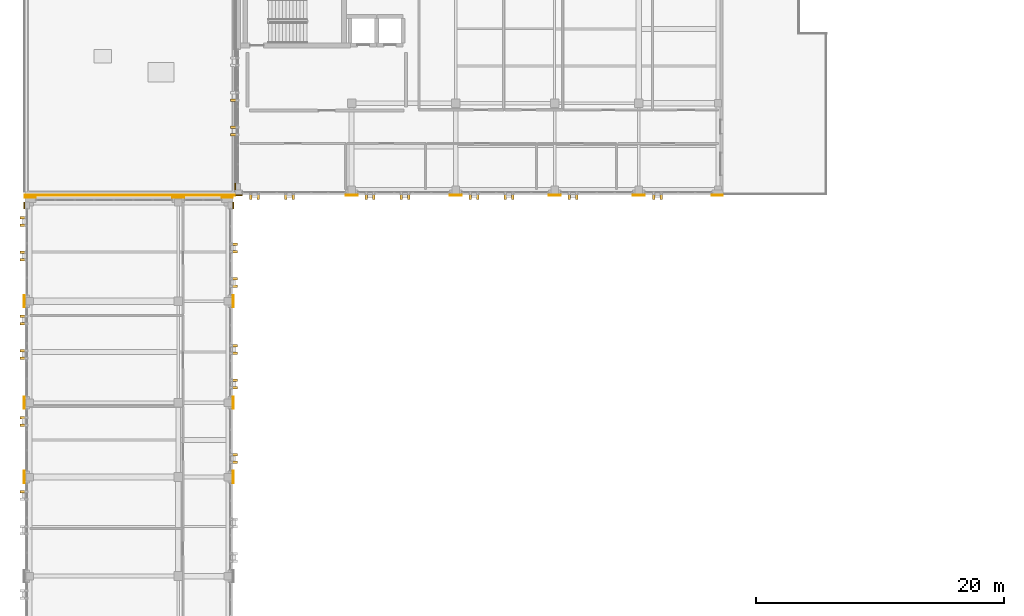
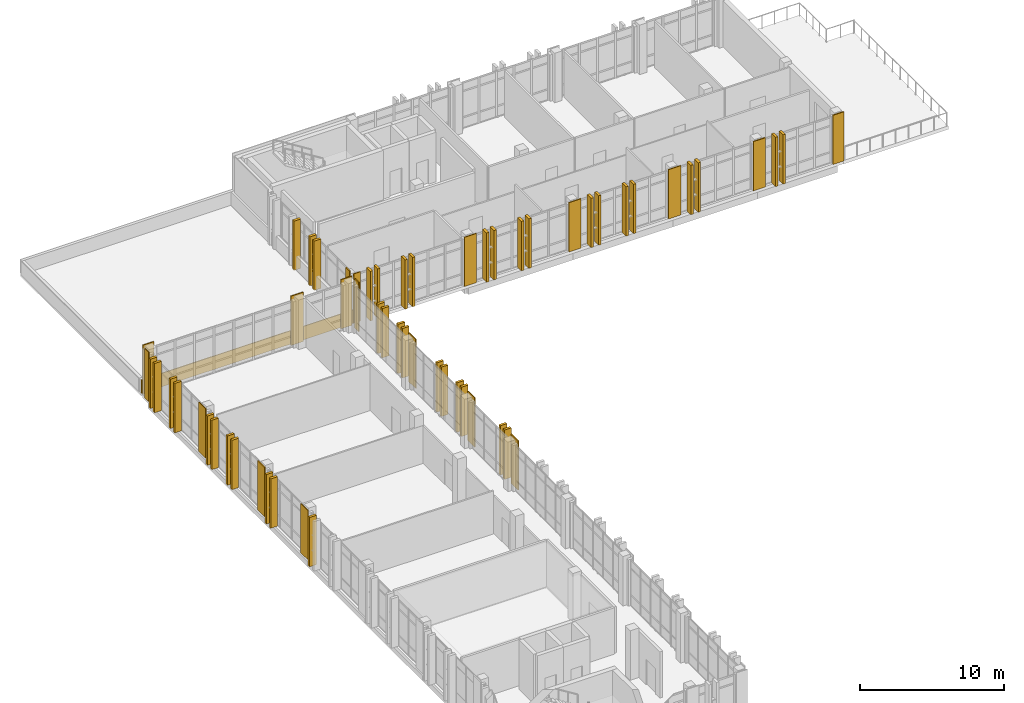
# One storey, part 82 of 90: 59 coverings.
"""IFC4 building model written with IfcOpenShell, lengths in metres."""

from ifc_helpers import new_model, si_unit, direction, frame, origin, origin_2d, place, context, subcontext, project, spatial, rectangle, extrude, material, layer, layer_set, type_object, element, save


model = new_model("IFC4")

# Units and contexts
model_context = context("Model", 3, precision=1e-05, world=origin(), true_north=direction((0.0, 1.0)))
body_context = subcontext(model_context, "Body", "Model", "MODEL_VIEW")
ifc_project = project(units=[si_unit("LENGTHUNIT", "METRE"), si_unit("AREAUNIT", "SQUARE_METRE"), si_unit("VOLUMEUNIT", "CUBIC_METRE"), si_unit("PLANEANGLEUNIT", "RADIAN"), si_unit("MASSUNIT", "GRAM", prefix="KILO")], contexts=[model_context])

# Site, building, storey
site_placement = place(None, origin())
site = spatial("IfcSite", under=ifc_project, at=site_placement, CompositionType="ELEMENT")
building_placement = place(site_placement, origin())
building = spatial("IfcBuilding", under=site, at=building_placement, Name="Qalavern Law Courts", CompositionType="ELEMENT")
storey_placement = place(building_placement, frame((0.0, 0.0, 22.800048828125)))
storey = spatial("IfcBuildingStorey", under=building, at=storey_placement, Name="L05", CompositionType="ELEMENT", Elevation=22.800048828125)

# Coverings
ifc_material = material(Name="Precast concrete C40/50", Category="concrete")
ifc_layer_1 = layer(ifc_material, 0.199951171875)
ifc_layer_set_1 = layer_set([ifc_layer_1], Name="Precast concrete C40/50")
covering_type_1 = type_object("IfcCoveringType", Name="ENV-BLD-1", PredefinedType="CLADDING", material=ifc_layer_set_1)
for number, where, z_axis, x_axis, name in (
    (1, (18.91748046875, 74.60009765625, 0.0048828125), (0.0, 0.0, 1.0), (1.0, 0.0, 0.0), "Absheron stone facade blade 0425"),
    (2, (18.91748046875, 75.199951171875, 0.0048828125), (0.0, 0.0, 1.0), (1.0, 0.0, 0.0), "Absheron stone facade blade 0426"),
    (3, (18.91748046875, 80.60009765625, 0.0048828125), (0.0, 0.0, 1.0), (1.0, 0.0, 0.0), "Absheron stone facade blade 0427"),
    (4, (18.91748046875, 81.199951171875, 0.0048828125), (0.0, 0.0, 1.0), (1.0, 0.0, 0.0), "Absheron stone facade blade 0428"),
    (5, (18.91748046875, 83.39990234375, 0.0048828125), (0.0, 0.0, 1.0), (1.0, 0.0, 0.0), "Absheron stone facade blade 0429"),
    (6, (18.91748046875, 84.0, 0.0048828125), (0.0, 0.0, 1.0), (1.0, 0.0, 0.0), "Absheron stone facade blade 0430"),
    (7, (18.91748046875, 88.800048828125, 0.0048828125), (0.0, 0.0, 1.0), (1.0, 0.0, 0.0), "Absheron stone facade blade 0431"),
    (8, (18.91748046875, 89.39990234375, 0.0048828125), (0.0, 0.0, 1.0), (1.0, 0.0, 0.0), "Absheron stone facade blade 0432"),
    (9, (18.91748046875, 91.60009765625, 0.0048828125), (0.0, 0.0, 1.0), (1.0, 0.0, 0.0), "Absheron stone facade blade 0433"),
    (10, (18.91748046875, 92.199951171875, 0.0048828125), (0.0, 0.0, 1.0), (1.0, 0.0, 0.0), "Absheron stone facade blade 0434"),
    (11, (1.882568359375, 94.35009765625, 0.0048828125), (0.0, 0.0, 1.0), (-1.0, 0.0, 0.0), "Absheron stone facade blade 0435"),
    (12, (1.882568359375, 93.75, 0.0048828125), (0.0, 0.0, 1.0), (-1.0, 0.0, 0.0), "Absheron stone facade blade 0436"),
    (13, (1.882568359375, 91.550048828125, 0.0048828125), (0.0, 0.0, 1.0), (-1.0, 0.0, 0.0), "Absheron stone facade blade 0437"),
    (14, (1.882568359375, 90.949951171875, 0.0048828125), (0.0, 0.0, 1.0), (-1.0, 0.0, 0.0), "Absheron stone facade blade 0438"),
    (15, (1.882568359375, 86.39990234375, 0.0048828125), (0.0, 0.0, 1.0), (-1.0, 0.0, 0.0), "Absheron stone facade blade 0439"),
    (16, (1.882568359375, 85.800048828125, 0.0048828125), (0.0, 0.0, 1.0), (-1.0, 0.0, 0.0), "Absheron stone facade blade 0440"),
    (17, (1.882568359375, 83.60009765625, 0.0048828125), (0.0, 0.0, 1.0), (-1.0, 0.0, 0.0), "Absheron stone facade blade 0441"),
    (18, (1.882568359375, 83.0, 0.0048828125), (0.0, 0.0, 1.0), (-1.0, 0.0, 0.0), "Absheron stone facade blade 0442"),
    (19, (1.882568359375, 78.199951171875, 0.0048828125), (0.0, 0.0, 1.0), (-1.0, 0.0, 0.0), "Absheron stone facade blade 0443"),
    (20, (1.882568359375, 77.60009765625, 0.0048828125), (0.0, 0.0, 1.0), (-1.0, 0.0, 0.0), "Absheron stone facade blade 0444"),
    (21, (1.882568359375, 72.199951171875, 0.0048828125), (0.0, 0.0, 1.0), (-1.0, 0.0, 0.0), "Absheron stone facade blade 0445"),
    (22, (20.27001953125, 96.08251953125, 0.0048828125), (0.0, 0.0, 1.0), (0.0, -1.0, 0.0), "Absheron stone facade blade 1121"),
    (23, (20.8701171875, 96.08251953125, 0.0048828125), (0.0, 0.0, 1.0), (0.0, -1.0, 0.0), "Absheron stone facade blade 1122"),
    (24, (23.070068359375, 96.08251953125, 0.0048828125), (0.0, 0.0, 1.0), (0.0, -1.0, 0.0), "Absheron stone facade blade 1123"),
    (25, (23.669921875, 96.08251953125, 0.0048828125), (0.0, 0.0, 1.0), (0.0, -1.0, 0.0), "Absheron stone facade blade 1124"),
    (26, (29.60009765625, 96.08251953125, 0.0048828125), (0.0, 0.0, 1.0), (0.0, -1.0, 0.0), "Absheron stone facade blade 1125"),
    (27, (30.199951171875, 96.08251953125, 0.0048828125), (0.0, 0.0, 1.0), (0.0, -1.0, 0.0), "Absheron stone facade blade 1126"),
    (28, (32.39990234375, 96.08251953125, 0.0048828125), (0.0, 0.0, 1.0), (0.0, -1.0, 0.0), "Absheron stone facade blade 1127"),
    (29, (33.0, 96.08251953125, 0.0048828125), (0.0, 0.0, 1.0), (0.0, -1.0, 0.0), "Absheron stone facade blade 1128"),
    (30, (38.0, 96.08251953125, 0.0048828125), (0.0, 0.0, 1.0), (0.0, -1.0, 0.0), "Absheron stone facade blade 1129"),
    (31, (38.60009765625, 96.08251953125, 0.0048828125), (0.0, 0.0, 1.0), (0.0, -1.0, 0.0), "Absheron stone facade blade 1130"),
    (32, (40.800048828125, 96.08251953125, 0.0048828125), (0.0, 0.0, 1.0), (0.0, -1.0, 0.0), "Absheron stone facade blade 1131"),
    (33, (41.39990234375, 96.08251953125, 0.0048828125), (0.0, 0.0, 1.0), (0.0, -1.0, 0.0), "Absheron stone facade blade 1132"),
    (34, (46.0, 96.08251953125, 0.0048828125), (0.0, 0.0, 1.0), (0.0, -1.0, 0.0), "Absheron stone facade blade 1133"),
    (35, (46.60009765625, 96.08251953125, 0.0048828125), (0.0, 0.0, 1.0), (0.0, -1.0, 0.0), "Absheron stone facade blade 1134"),
    (36, (52.800048828125, 96.08251953125, 0.0048828125), (0.0, 0.0, 1.0), (0.0, -1.0, 0.0), "Absheron stone facade blade 1135"),
    (37, (53.39990234375, 96.08251953125, 0.0048828125), (0.0, 0.0, 1.0), (0.0, -1.0, 0.0), "Absheron stone facade blade 1136"),
    (38, (18.902587890625, 103.85009765625, 0.0048828125), (0.0, 0.0, 1.0), (-1.0, 0.0, 0.0), "Absheron stone facade blade 1152"),
    (39, (18.902587890625, 101.64990234375, 0.0048828125), (0.0, 0.0, 1.0), (-1.0, 0.0, 0.0), "Absheron stone facade blade 1153"),
    (40, (18.902587890625, 101.050048828125, 0.0048828125), (0.0, 0.0, 1.0), (-1.0, 0.0, 0.0), "Absheron stone facade blade 1154"),
):
    element("IfcCovering", number, at=place(storey_placement, frame(where, z_axis=z_axis, x_axis=x_axis)), inside=storey, type_object=covering_type_1, Name=name, PredefinedType="CLADDING", context=body_context, shape_type="SweptSolid", body=[
        extrude(rectangle(XDim=0.5400390625, YDim=0.199951171875, at=origin_2d()), origin(), (0.0, 0.0, 1.0), 4.18994140625),
    ])
ifc_layer_2 = layer(ifc_material, 0.06005859375)
ifc_layer_set_2 = layer_set([ifc_layer_2], Name="Precast concrete C40/50")
covering_type_2 = type_object("IfcCoveringType", Name="ENV-CLD-1", PredefinedType="CLADDING", material=ifc_layer_set_2)
covering_1_placement = place(storey_placement, frame((10.510009765625, 96.173095703125, 0.0048828125), z_axis=(0.0, 0.0, 1.0), x_axis=(1.0, 0.0, 0.0)))
element("IfcCovering", 41, at=covering_1_placement, inside=storey, type_object=covering_type_2, Name="V5 Absheron limestone parapet coping L05 S", PredefinedType="CLADDING", context=body_context, shape_type="SweptSolid", body=[
    extrude(rectangle(XDim=17.0, YDim=0.06005859375, at=origin_2d()), origin(), (0.0, 0.0, 1.0), 1.139892578125),
])
ifc_layer_3 = layer(ifc_material, 0.072021484375)
ifc_layer_set_3 = layer_set([ifc_layer_3], Name="Precast concrete C40/50")
covering_type_3 = type_object("IfcCoveringType", Name="ENV-CLD-2", PredefinedType="CLADDING", material=ifc_layer_set_3)
for number, where, z_axis, x_axis, name in (
    (42, (18.8330078125, 73.39990234375, 0.009765625), (0.0, 0.0, 1.0), (0.0, 1.0, 0.0), "V3 Absheron limestone pier facing L05 east 5"),
    (43, (18.8330078125, 79.39990234375, 0.009765625), (0.0, 0.0, 1.0), (0.0, 1.0, 0.0), "V3 Absheron limestone pier facing L05 east 6"),
    (44, (18.8330078125, 87.60009765625, 0.009765625), (0.0, 0.0, 1.0), (0.0, 1.0, 0.0), "V3 Absheron limestone pier facing L05 east 7"),
):
    element("IfcCovering", number, at=place(storey_placement, frame(where, z_axis=z_axis, x_axis=x_axis)), inside=storey, type_object=covering_type_3, Name=name, PredefinedType="CLADDING", context=body_context, shape_type="SweptSolid", body=[
        extrude(rectangle(XDim=0.97998046875, YDim=0.072021484375, at=origin_2d()), origin(), (0.0, 0.0, 1.0), 4.179931640625),
    ])
covering_2_placement = place(storey_placement, frame((18.8330078125, 95.324951171875, 0.009765625), z_axis=(0.0, 0.0, 1.0), x_axis=(0.0, 1.0, 0.0)))
element("IfcCovering", 45, at=covering_2_placement, inside=storey, type_object=covering_type_3, Name="V3 Absheron limestone pier facing L05 east 8", PredefinedType="CLADDING", context=body_context, shape_type="SweptSolid", body=[
    extrude(rectangle(XDim=0.530029296875, YDim=0.072021484375, at=origin_2d()), origin(), (0.0, 0.0, 1.0), 4.179931640625),
])
covering_3_placement = place(storey_placement, frame((18.35009765625, 96.012939453125, 0.009765625), z_axis=(0.0, 0.0, 1.0), x_axis=(-1.0, 0.0, 0.0)))
element("IfcCovering", 46, at=covering_3_placement, inside=storey, type_object=covering_type_3, Name="V3 Absheron limestone pier facing L05 north 1", PredefinedType="CLADDING", context=body_context, shape_type="SweptSolid", body=[
    extrude(rectangle(XDim=0.8798828125, YDim=0.072021484375, at=origin_2d()), origin(), (0.0, 0.0, 1.0), 4.179931640625),
])
covering_4_placement = place(storey_placement, frame((14.39990234375, 96.012939453125, 0.009765625), z_axis=(0.0, 0.0, 1.0), x_axis=(-1.0, 0.0, 0.0)))
element("IfcCovering", 47, at=covering_4_placement, inside=storey, type_object=covering_type_3, Name="V3 Absheron limestone pier facing L05 north 2", PredefinedType="CLADDING", context=body_context, shape_type="SweptSolid", body=[
    extrude(rectangle(XDim=0.97998046875, YDim=0.072021484375, at=origin_2d()), origin(), (0.0, 0.0, 1.0), 4.179931640625),
])
covering_5_placement = place(storey_placement, frame((2.449951171875, 96.012939453125, 0.009765625), z_axis=(0.0, 0.0, 1.0), x_axis=(-1.0, 0.0, 0.0)))
element("IfcCovering", 48, at=covering_5_placement, inside=storey, type_object=covering_type_3, Name="V3 Absheron limestone pier facing L05 north 3", PredefinedType="CLADDING", context=body_context, shape_type="SweptSolid", body=[
    extrude(rectangle(XDim=0.8798828125, YDim=0.072021484375, at=origin_2d()), origin(), (0.0, 0.0, 1.0), 4.179931640625),
])
covering_6_placement = place(storey_placement, frame((1.967041015625, 95.324951171875, 0.009765625), z_axis=(0.0, 0.0, 1.0), x_axis=(0.0, -1.0, 0.0)))
element("IfcCovering", 49, at=covering_6_placement, inside=storey, type_object=covering_type_3, Name="V3 Absheron limestone pier facing L05 west 1", PredefinedType="CLADDING", context=body_context, shape_type="SweptSolid", body=[
    extrude(rectangle(XDim=0.530029296875, YDim=0.072021484375, at=origin_2d()), origin(), (0.0, 0.0, 1.0), 4.179931640625),
])
for number, where, z_axis, x_axis, name in (
    (50, (1.967041015625, 87.60009765625, 0.009765625), (0.0, 0.0, 1.0), (0.0, -1.0, 0.0), "V3 Absheron limestone pier facing L05 west 2"),
    (51, (1.967041015625, 79.39990234375, 0.009765625), (0.0, 0.0, 1.0), (0.0, -1.0, 0.0), "V3 Absheron limestone pier facing L05 west 3"),
    (52, (1.967041015625, 73.39990234375, 0.009765625), (0.0, 0.0, 1.0), (0.0, -1.0, 0.0), "V3 Absheron limestone pier facing L05 west 4"),
):
    element("IfcCovering", number, at=place(storey_placement, frame(where, z_axis=z_axis, x_axis=x_axis)), inside=storey, type_object=covering_type_3, Name=name, PredefinedType="CLADDING", context=body_context, shape_type="SweptSolid", body=[
        extrude(rectangle(XDim=0.97998046875, YDim=0.072021484375, at=origin_2d()), origin(), (0.0, 0.0, 1.0), 4.179931640625),
    ])
covering_7_placement = place(storey_placement, frame((19.294921875, 96.1669921875, 0.009765625), z_axis=(0.0, 0.0, 1.0), x_axis=(1.0, 0.0, 0.0)))
element("IfcCovering", 53, at=covering_7_placement, inside=storey, type_object=covering_type_3, Name="V5 Absheron limestone pier facing L05 south 1", PredefinedType="CLADDING", context=body_context, shape_type="SweptSolid", body=[
    extrude(rectangle(XDim=0.530029296875, YDim=0.072021484375, at=origin_2d()), origin(), (0.0, 0.0, 1.0), 4.179931640625),
])
for number, where, z_axis, x_axis, name in (
    (54, (28.39990234375, 96.1669921875, 0.009765625), (0.0, 0.0, 1.0), (1.0, 0.0, 0.0), "V5 Absheron limestone pier facing L05 south 2"),
    (55, (36.800048828125, 96.1669921875, 0.009765625), (0.0, 0.0, 1.0), (1.0, 0.0, 0.0), "V5 Absheron limestone pier facing L05 south 3"),
    (56, (44.800048828125, 96.1669921875, 0.009765625), (0.0, 0.0, 1.0), (1.0, 0.0, 0.0), "V5 Absheron limestone pier facing L05 south 4"),
    (57, (51.60009765625, 96.1669921875, 0.009765625), (0.0, 0.0, 1.0), (1.0, 0.0, 0.0), "V5 Absheron limestone pier facing L05 south 5"),
):
    element("IfcCovering", number, at=place(storey_placement, frame(where, z_axis=z_axis, x_axis=x_axis)), inside=storey, type_object=covering_type_3, Name=name, PredefinedType="CLADDING", context=body_context, shape_type="SweptSolid", body=[
        extrude(rectangle(XDim=0.97998046875, YDim=0.072021484375, at=origin_2d()), origin(), (0.0, 0.0, 1.0), 4.179931640625),
    ])
covering_8_placement = place(storey_placement, frame((57.949951171875, 96.1669921875, 0.009765625), z_axis=(0.0, 0.0, 1.0), x_axis=(1.0, 0.0, 0.0)))
element("IfcCovering", 58, at=covering_8_placement, inside=storey, type_object=covering_type_3, Name="V5 Absheron limestone pier facing L05 south 6", PredefinedType="CLADDING", context=body_context, shape_type="SweptSolid", body=[
    extrude(rectangle(XDim=0.8798828125, YDim=0.072021484375, at=origin_2d()), origin(), (0.0, 0.0, 1.0), 4.179931640625),
])
covering_9_placement = place(storey_placement, frame((18.987060546875, 96.85498046875, 0.009765625), z_axis=(0.0, 0.0, 1.0), x_axis=(0.0, -1.0, 0.0)))
element("IfcCovering", 59, at=covering_9_placement, inside=storey, type_object=covering_type_3, Name="V5 Absheron limestone pier facing L05 west 2", PredefinedType="CLADDING", context=body_context, shape_type="SweptSolid", body=[
    extrude(rectangle(XDim=0.530029296875, YDim=0.072021484375, at=origin_2d()), origin(), (0.0, 0.0, 1.0), 4.179931640625),
])

save(model, "model.ifc")
